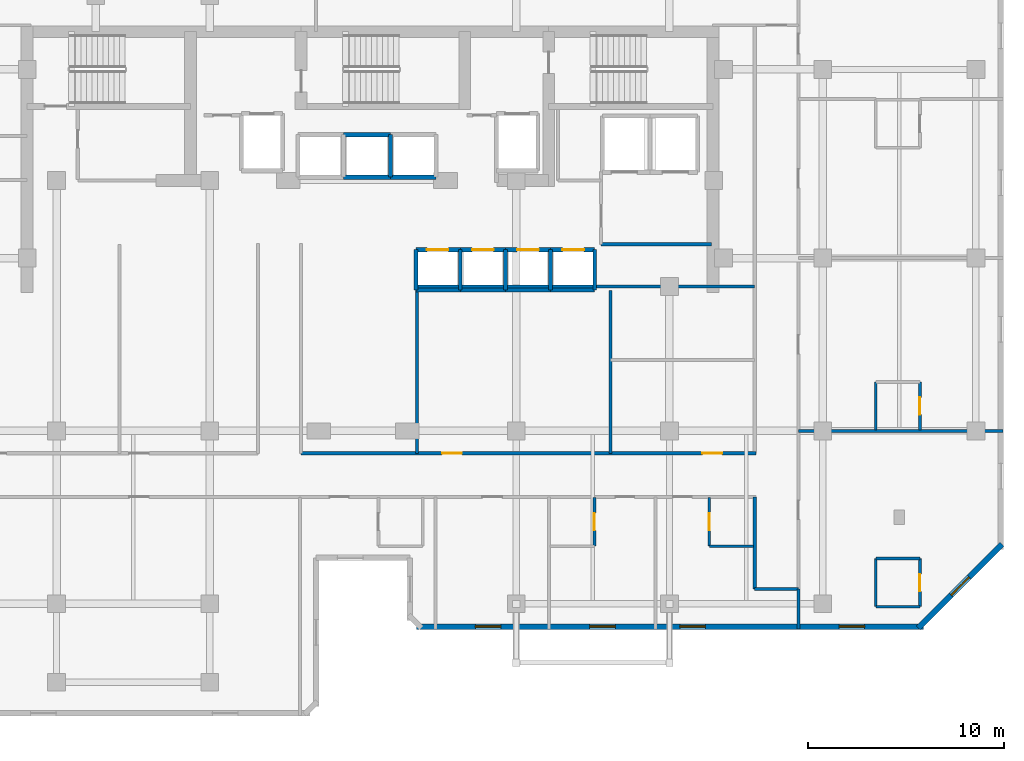
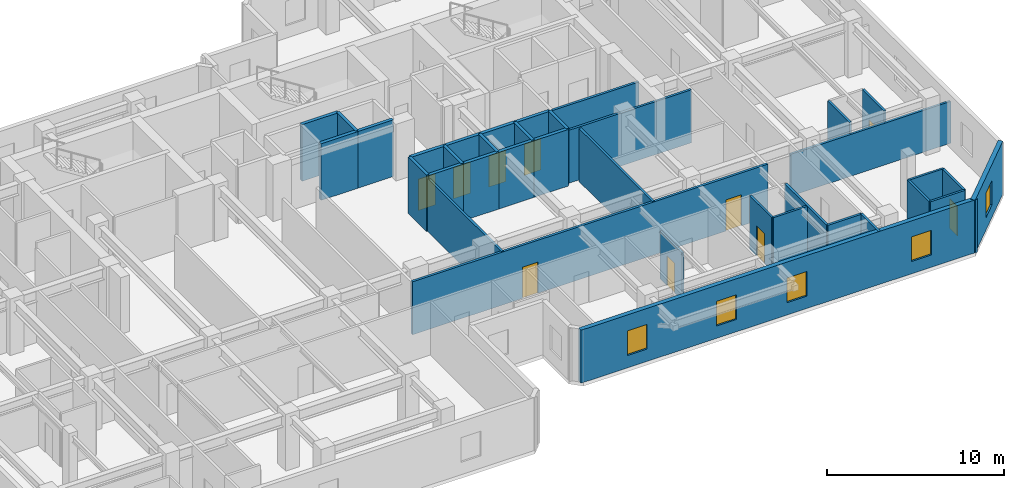
# One storey, part 6 of 10: 37 walls, 10 doors, 5 windows, 15 openings.
"""IFC4 building model written with IfcOpenShell, lengths in metres."""

from ifc_helpers import new_model, si_unit, direction, frame, frame_2d, origin, place, context, subcontext, project, spatial, rectangle, extrude, material, layer, layer_set, type_object, element, fill, save


model = new_model("IFC4")

# Units and contexts
model_context = context("Model", 3, precision=1e-05, world=origin(), true_north=direction((0.0, 1.0)))
body_context = subcontext(model_context, "Body", "Model", "MODEL_VIEW")
ifc_project = project(units=[si_unit("LENGTHUNIT", "METRE"), si_unit("AREAUNIT", "SQUARE_METRE"), si_unit("VOLUMEUNIT", "CUBIC_METRE"), si_unit("PLANEANGLEUNIT", "RADIAN"), si_unit("MASSUNIT", "GRAM", prefix="KILO")], contexts=[model_context])

# Site, building, storey
site_placement = place(None, origin())
site = spatial("IfcSite", under=ifc_project, at=site_placement, CompositionType="ELEMENT")
building_placement = place(site_placement, origin())
building = spatial("IfcBuilding", under=site, at=building_placement, Name="Kestravale Grand Hotel", CompositionType="ELEMENT")
storey_placement = place(building_placement, frame((0.0, 0.0, 224.10009765625)))
storey = spatial("IfcBuildingStorey", under=building, at=storey_placement, Name="L56", CompositionType="ELEMENT", Elevation=224.10009765625)

# Wall, openings, windows
ifc_material_1 = material(Name="Precast concrete f'c 45 MPa", Category="concrete")
ifc_layer_1 = layer(ifc_material_1, 0.280029296875)
ifc_layer_set_1 = layer_set([ifc_layer_1], Name="EW-PREC-280")
wall_type_1 = type_object("IfcWallType", Name="EW-PREC-280", PredefinedType="SOLIDWALL", material=ifc_layer_set_1)
wall_1_placement = place(storey_placement, frame((41.7099609375, 10.0400390625, 0.0), z_axis=(0.0, 0.0, 1.0), x_axis=(1.0, 0.0, 0.0)))
wall_1 = element("IfcWall", 1, at=wall_1_placement, inside=storey, type_object=wall_type_1, Name="L56 fluted precast facade wall 7", PredefinedType="SOLIDWALL", context=body_context, shape_type="SweptSolid", body=[
    extrude(rectangle(XDim=25.830078125, YDim=0.280029296875, at=frame_2d((12.9150390625, 0.0))), origin(), (0.0, 0.0, 1.0), 3.64990234375),
])
opening_1_placement = place(wall_1_placement, frame((3.0048828125, 0.0, 0.85009765625)))
opening_1 = element("IfcOpeningElement", 2, at=opening_1_placement, cuts=wall_1, Name="Opening W-GUEST-1300", PredefinedType="OPENING", context=body_context, shape_type="SweptSolid", body=[
    extrude(rectangle(XDim=1.300048828125, YDim=1.699951171875, at=frame_2d((0.64990234375, 0.85009765625))), frame((0.0, 0.14990234375, 0.0), z_axis=(0.0, -1.0, 0.0), x_axis=(1.0, 0.0, 0.0)), (0.0, 0.0, 1.0), 0.300048828125),
])
opening_2_placement = place(wall_1_placement, frame((13.4150390625, 0.0, 0.85009765625)))
opening_2 = element("IfcOpeningElement", 3, at=opening_2_placement, cuts=wall_1, Name="Opening W-GUEST-1300", PredefinedType="OPENING", context=body_context, shape_type="SweptSolid", body=[
    extrude(rectangle(XDim=1.300048828125, YDim=1.699951171875, at=frame_2d((0.64990234375, 0.85009765625))), frame((0.0, 0.14990234375, 0.0), z_axis=(0.0, -1.0, 0.0), x_axis=(1.0, 0.0, 0.0)), (0.0, 0.0, 1.0), 0.300048828125),
])
opening_3_placement = place(wall_1_placement, frame((21.52490234375, 0.0, 0.85009765625)))
opening_3 = element("IfcOpeningElement", 4, at=opening_3_placement, cuts=wall_1, Name="Opening W-GUEST-1300", PredefinedType="OPENING", context=body_context, shape_type="SweptSolid", body=[
    extrude(rectangle(XDim=1.300048828125, YDim=1.699951171875, at=frame_2d((0.64990234375, 0.85009765625))), frame((0.0, 0.14990234375, 0.0), z_axis=(0.0, -1.0, 0.0), x_axis=(1.0, 0.0, 0.0)), (0.0, 0.0, 1.0), 0.300048828125),
])
opening_4_placement = place(wall_1_placement, frame((8.830078125, 0.0, 0.85009765625)))
opening_4 = element("IfcOpeningElement", 5, at=opening_4_placement, cuts=wall_1, Name="Opening W-GUEST-1300", PredefinedType="OPENING", context=body_context, shape_type="SweptSolid", body=[
    extrude(rectangle(XDim=1.300048828125, YDim=1.699951171875, at=frame_2d((0.64990234375, 0.85009765625))), frame((0.0, 0.14990234375, 0.0), z_axis=(0.0, -1.0, 0.0), x_axis=(1.0, 0.0, 0.0)), (0.0, 0.0, 1.0), 0.300048828125),
])
ifc_material_2 = material(Name="Insulated low-E double glazing in aluminium frame", Category="aluminium")
window_type = type_object("IfcWindowType", Name="W-GUEST-1300", PartitioningType="SINGLE_PANEL", PredefinedType="WINDOW", material=ifc_material_2)
window_1_placement = place(opening_1_placement, origin())
window_1 = element("IfcWindow", 6, at=window_1_placement, inside=storey, type_object=window_type, Name="L56 exterior window 7.1", OverallHeight=1.699951171875, OverallWidth=1.300048828125, PartitioningType="SINGLE_PANEL", PredefinedType="WINDOW", context=body_context, shape_type="SweptSolid", body=[
    extrude(rectangle(XDim=1.300048828125, YDim=1.699951171875, at=frame_2d((0.64990234375, 0.85009765625))), frame((0.0, 0.030029296875, 0.0), z_axis=(0.0, -1.0, 0.0), x_axis=(1.0, 0.0, 0.0)), (0.0, 0.0, 1.0), 0.06005859375),
])
fill(opening_1, window_1)
window_2_placement = place(opening_2_placement, origin())
window_2 = element("IfcWindow", 7, at=window_2_placement, inside=storey, type_object=window_type, Name="L56 exterior window 7.2", OverallHeight=1.699951171875, OverallWidth=1.300048828125, PartitioningType="SINGLE_PANEL", PredefinedType="WINDOW", context=body_context, shape_type="SweptSolid", body=[
    extrude(rectangle(XDim=1.300048828125, YDim=1.699951171875, at=frame_2d((0.64990234375, 0.85009765625))), frame((0.0, 0.030029296875, 0.0), z_axis=(0.0, -1.0, 0.0), x_axis=(1.0, 0.0, 0.0)), (0.0, 0.0, 1.0), 0.06005859375),
])
fill(opening_2, window_2)
window_3_placement = place(opening_3_placement, origin())
window_3 = element("IfcWindow", 8, at=window_3_placement, inside=storey, type_object=window_type, Name="L56 exterior window 7.3", OverallHeight=1.699951171875, OverallWidth=1.300048828125, PartitioningType="SINGLE_PANEL", PredefinedType="WINDOW", context=body_context, shape_type="SweptSolid", body=[
    extrude(rectangle(XDim=1.300048828125, YDim=1.699951171875, at=frame_2d((0.64990234375, 0.85009765625))), frame((0.0, 0.030029296875, 0.0), z_axis=(0.0, -1.0, 0.0), x_axis=(1.0, 0.0, 0.0)), (0.0, 0.0, 1.0), 0.06005859375),
])
fill(opening_3, window_3)
window_4_placement = place(opening_4_placement, origin())
window_4 = element("IfcWindow", 9, at=window_4_placement, inside=storey, type_object=window_type, Name="L56 guestroom envelope window 1", OverallHeight=1.699951171875, OverallWidth=1.300048828125, PartitioningType="SINGLE_PANEL", PredefinedType="WINDOW", context=body_context, shape_type="SweptSolid", body=[
    extrude(rectangle(XDim=1.300048828125, YDim=1.699951171875, at=frame_2d((0.64990234375, 0.85009765625))), frame((0.0, 0.030029296875, 0.0), z_axis=(0.0, -1.0, 0.0), x_axis=(1.0, 0.0, 0.0)), (0.0, 0.0, 1.0), 0.06005859375),
])
fill(opening_4, window_4)

# Wall, opening, window
wall_2_placement = place(storey_placement, frame((67.272705078125, 9.970703125, 0.0), z_axis=(0.0, 0.0, 1.0), x_axis=(0.707106781187, 0.707106781187, 0.0)))
wall_2 = element("IfcWall", 10, at=wall_2_placement, inside=storey, type_object=wall_type_1, Name="L56 fluted precast facade wall 8", PredefinedType="SOLIDWALL", context=body_context, shape_type="SweptSolid", body=[
    extrude(rectangle(XDim=6.019775390625, YDim=0.280029296875, at=frame_2d((3.009765625, 0.0))), origin(), (0.0, 0.0, 1.0), 3.64990234375),
])
opening_5_placement = place(wall_2_placement, frame((2.35986328125, 0.0, 0.85009765625)))
opening_5 = element("IfcOpeningElement", 11, at=opening_5_placement, cuts=wall_2, Name="Opening W-GUEST-1300", PredefinedType="OPENING", context=body_context, shape_type="SweptSolid", body=[
    extrude(rectangle(XDim=1.300048828125, YDim=1.699951171875, at=frame_2d((0.64990234375, 0.85009765625))), frame((0.0, 0.14990234375, 0.0), z_axis=(0.0, -1.0, 0.0), x_axis=(1.0, 0.0, 0.0)), (0.0, 0.0, 1.0), 0.300048828125),
])
window_5_placement = place(opening_5_placement, origin())
window_5 = element("IfcWindow", 12, at=window_5_placement, inside=storey, type_object=window_type, Name="L56 exterior window 8.1", OverallHeight=1.699951171875, OverallWidth=1.300048828125, PartitioningType="SINGLE_PANEL", PredefinedType="WINDOW", context=body_context, shape_type="SweptSolid", body=[
    extrude(rectangle(XDim=1.300048828125, YDim=1.699951171875, at=frame_2d((0.64990234375, 0.85009765625))), frame((0.0, 0.030029296875, 0.0), z_axis=(0.0, -1.0, 0.0), x_axis=(1.0, 0.0, 0.0)), (0.0, 0.0, 1.0), 0.06005859375),
])
fill(opening_5, window_5)

# Wall
ifc_material_3 = material(Name="Acoustic fire-rated gypsum board partition", Category="other")
ifc_layer_2 = layer(ifc_material_3, 0.159912109375)
ifc_layer_set_2 = layer_set([ifc_layer_2], Name="IW-CORR-160")
wall_type_2 = type_object("IfcWallType", Name="IW-CORR-160", PredefinedType="PARTITIONING", material=ifc_layer_set_2)
wall_3_placement = place(storey_placement, frame((51.1201171875, 29.5, 0.0), z_axis=(0.0, 0.0, 1.0), x_axis=(1.0, 0.0, 0.0)))
element("IfcWall", 13, at=wall_3_placement, inside=storey, type_object=wall_type_2, Name="L56 service lift lobby wall", PredefinedType="PARTITIONING", context=body_context, shape_type="SweptSolid", body=[
    extrude(rectangle(XDim=5.6298828125, YDim=0.159912109375, at=frame_2d((2.81494140625, 0.0))), origin(), (0.0, 0.0, 1.0), 3.64990234375),
])

# Wall, openings, doors
wall_4_placement = place(storey_placement, frame((35.85009765625, 18.860107421875, 0.0), z_axis=(0.0, 0.0, 1.0), x_axis=(1.0, 0.0, 0.0)))
wall_4 = element("IfcWall", 14, at=wall_4_placement, inside=storey, type_object=wall_type_2, Name="W-L56-CE-N", PredefinedType="PARTITIONING", context=body_context, shape_type="SweptSolid", body=[
    extrude(rectangle(XDim=23.14990234375, YDim=0.159912109375, at=frame_2d((11.574951171875, 0.0))), origin(), (0.0, 0.0, 1.0), 3.64990234375),
])
opening_6_placement = place(wall_4_placement, frame((7.18115234375, 0.0, 0.0)))
opening_6 = element("IfcOpeningElement", 15, at=opening_6_placement, cuts=wall_4, Name="Opening D-GUEST-1000", PredefinedType="OPENING", context=body_context, shape_type="SweptSolid", body=[
    extrude(rectangle(XDim=1.0, YDim=2.14990234375, at=frame_2d((0.5, 1.074951171875))), frame((0.0, 0.08984375, 0.0), z_axis=(0.0, -1.0, 0.0), x_axis=(1.0, 0.0, 0.0)), (0.0, 0.0, 1.0), 0.179931640625),
])
opening_7_placement = place(wall_4_placement, frame((20.4296875, 0.0, 0.0)))
opening_7 = element("IfcOpeningElement", 16, at=opening_7_placement, cuts=wall_4, Name="Opening D-GUEST-1000", PredefinedType="OPENING", context=body_context, shape_type="SweptSolid", body=[
    extrude(rectangle(XDim=1.0, YDim=2.14990234375, at=frame_2d((0.5, 1.074951171875))), frame((0.0, 0.08984375, 0.0), z_axis=(0.0, -1.0, 0.0), x_axis=(1.0, 0.0, 0.0)), (0.0, 0.0, 1.0), 0.179931640625),
])
ifc_material_4 = material(Name="Accessible walnut veneer hotel entrance fire door", Category="wood")
door_type_1 = type_object("IfcDoorType", Name="D-GUEST-1000", OperationType="NOTDEFINED", PredefinedType="DOOR", material=ifc_material_4)
door_1_placement = place(opening_6_placement, origin())
door_1 = element("IfcDoor", 17, at=door_1_placement, inside=storey, type_object=door_type_1, Name="D-L56-RECL-E1", OperationType="SINGLE_SWING_RIGHT", OverallHeight=2.14990234375, OverallWidth=1.0, PredefinedType="DOOR", context=body_context, shape_type="SweptSolid", body=[
    extrude(rectangle(XDim=1.0, YDim=2.14990234375, at=frame_2d((0.5, 1.074951171875))), frame((0.0, 0.02490234375, 0.0), z_axis=(0.0, -1.0, 0.0), x_axis=(1.0, 0.0, 0.0)), (0.0, 0.0, 1.0), 0.050048828125),
])
fill(opening_6, door_1)
door_2_placement = place(opening_7_placement, origin())
door_2 = element("IfcDoor", 18, at=door_2_placement, inside=storey, type_object=door_type_1, Name="D-L56-RECL-E2", OperationType="SINGLE_SWING_LEFT", OverallHeight=2.14990234375, OverallWidth=1.0, PredefinedType="DOOR", context=body_context, shape_type="SweptSolid", body=[
    extrude(rectangle(XDim=1.0, YDim=2.14990234375, at=frame_2d((0.5, 1.074951171875))), frame((0.0, 0.02490234375, 0.0), z_axis=(0.0, -1.0, 0.0), x_axis=(1.0, 0.0, 0.0)), (0.0, 0.0, 1.0), 0.050048828125),
])
fill(opening_7, door_2)

# Wall
wall_5_placement = place(storey_placement, frame((58.93994140625, 11.949951171875, 0.0), z_axis=(0.0, 0.0, 1.0), x_axis=(0.0, 1.0, 0.0)))
element("IfcWall", 19, at=wall_5_placement, inside=storey, type_object=wall_type_2, Name="W-L56-SE-W", PredefinedType="PARTITIONING", context=body_context, shape_type="SweptSolid", body=[
    extrude(rectangle(XDim=4.68994140625, YDim=0.159912109375, at=frame_2d((2.344970703125, 0.0))), origin(), (0.0, 0.0, 1.0), 3.64990234375),
])

# Wall, opening, door
ifc_material_5 = material(Name="Moisture-resistant tile-backer plumbing chase wall", Category="other")
ifc_layer_3 = layer(ifc_material_5, 0.139892578125)
ifc_layer_set_3 = layer_set([ifc_layer_3], Name="IW-PLB-140")
wall_type_3 = type_object("IfcWallType", Name="IW-PLB-140", PredefinedType="PLUMBINGWALL", material=ifc_layer_set_3)
wall_6_placement = place(storey_placement, frame((50.780029296875, 14.1298828125, 0.0), z_axis=(0.0, 0.0, 1.0), x_axis=(0.0, 1.0, 0.0)))
wall_6 = element("IfcWall", 20, at=wall_6_placement, inside=storey, type_object=wall_type_3, Name="W-L56-U02-BE", PredefinedType="PLUMBINGWALL", context=body_context, shape_type="SweptSolid", body=[
    extrude(rectangle(XDim=2.490234375, YDim=0.139892578125, at=frame_2d((1.2451171875, 0.0))), origin(), (0.0, 0.0, 1.0), 3.245849609375),
])
opening_8_placement = place(wall_6_placement, frame((0.804931640625, 0.0, 0.0)))
opening_8 = element("IfcOpeningElement", 21, at=opening_8_placement, cuts=wall_6, Name="Opening D-BATH-880", PredefinedType="OPENING", context=body_context, shape_type="SweptSolid", body=[
    extrude(rectangle(XDim=0.8798828125, YDim=2.050048828125, at=frame_2d((0.43994140625, 1.02490234375))), frame((0.0, 0.079833984375, 0.0), z_axis=(0.0, -1.0, 0.0), x_axis=(1.0, 0.0, 0.0)), (0.0, 0.0, 1.0), 0.159912109375),
])
ifc_material_6 = material(Name="Moisture-sealed walnut en-suite bathroom door", Category="wood")
door_type_2 = type_object("IfcDoorType", Name="D-BATH-880", OperationType="NOTDEFINED", PredefinedType="DOOR", material=ifc_material_6)
door_3_placement = place(opening_8_placement, origin())
door_3 = element("IfcDoor", 22, at=door_3_placement, inside=storey, type_object=door_type_2, Name="D-L56-U02-BATH", OperationType="SINGLE_SWING_RIGHT", OverallHeight=2.050048828125, OverallWidth=0.8798828125, PredefinedType="DOOR", context=body_context, shape_type="SweptSolid", body=[
    extrude(rectangle(XDim=0.8798828125, YDim=2.050048828125, at=frame_2d((0.43994140625, 1.02490234375))), frame((0.0, 0.02490234375, 0.0), z_axis=(0.0, -1.0, 0.0), x_axis=(1.0, 0.0, 0.0)), (0.0, 0.0, 1.0), 0.050048828125),
])
fill(opening_8, door_3)

wall_7_placement = place(storey_placement, frame((56.6298828125, 14.1298828125, 0.0), z_axis=(0.0, 0.0, 1.0), x_axis=(0.0, 1.0, 0.0)))
wall_7 = element("IfcWall", 23, at=wall_7_placement, inside=storey, type_object=wall_type_3, Name="W-L56-U03-BW", PredefinedType="PLUMBINGWALL", context=body_context, shape_type="SweptSolid", body=[
    extrude(rectangle(XDim=2.490234375, YDim=0.139892578125, at=frame_2d((1.2451171875, 0.0))), origin(), (0.0, 0.0, 1.0), 3.64990234375),
])
opening_9_placement = place(wall_7_placement, frame((0.804931640625, 0.0, 0.0)))
opening_9 = element("IfcOpeningElement", 24, at=opening_9_placement, cuts=wall_7, Name="Opening D-BATH-880", PredefinedType="OPENING", context=body_context, shape_type="SweptSolid", body=[
    extrude(rectangle(XDim=0.8798828125, YDim=2.050048828125, at=frame_2d((0.43994140625, 1.02490234375))), frame((0.0, 0.079833984375, 0.0), z_axis=(0.0, -1.0, 0.0), x_axis=(1.0, 0.0, 0.0)), (0.0, 0.0, 1.0), 0.159912109375),
])
door_4_placement = place(opening_9_placement, origin())
door_4 = element("IfcDoor", 25, at=door_4_placement, inside=storey, type_object=door_type_2, Name="D-L56-U03-BATH", OperationType="SINGLE_SWING_RIGHT", OverallHeight=2.050048828125, OverallWidth=0.8798828125, PredefinedType="DOOR", context=body_context, shape_type="SweptSolid", body=[
    extrude(rectangle(XDim=0.8798828125, YDim=2.050048828125, at=frame_2d((0.43994140625, 1.02490234375))), frame((0.0, 0.02490234375, 0.0), z_axis=(0.0, -1.0, 0.0), x_axis=(1.0, 0.0, 0.0)), (0.0, 0.0, 1.0), 0.050048828125),
])
fill(opening_9, door_4)

# Walls
wall_8_placement = place(storey_placement, frame((56.6298828125, 14.1298828125, 0.0), z_axis=(0.0, 0.0, 1.0), x_axis=(1.0, 0.0, 0.0)))
element("IfcWall", 26, at=wall_8_placement, inside=storey, type_object=wall_type_3, Name="W-L56-U03-BS", PredefinedType="PLUMBINGWALL", context=body_context, shape_type="SweptSolid", body=[
    extrude(rectangle(XDim=2.25, YDim=0.139892578125, at=frame_2d((1.125, 0.0))), origin(), (0.0, 0.0, 1.0), 3.64990234375),
])
wall_9_placement = place(storey_placement, frame((65.10009765625, 11.050048828125, 0.0), z_axis=(0.0, 0.0, 1.0), x_axis=(0.0, 1.0, 0.0)))
element("IfcWall", 27, at=wall_9_placement, inside=storey, type_object=wall_type_3, Name="W-L56-U08-BW", PredefinedType="PLUMBINGWALL", context=body_context, shape_type="SweptSolid", body=[
    extrude(rectangle(XDim=2.449951171875, YDim=0.139892578125, at=frame_2d((1.22509765625, 0.0))), origin(), (0.0, 0.0, 1.0), 3.64990234375),
])

# Wall, opening, door
wall_10_placement = place(storey_placement, frame((67.35009765625, 11.050048828125, 0.0), z_axis=(0.0, 0.0, 1.0), x_axis=(0.0, 1.0, 0.0)))
wall_10 = element("IfcWall", 28, at=wall_10_placement, inside=storey, type_object=wall_type_3, Name="W-L56-U08-BE", PredefinedType="PLUMBINGWALL", context=body_context, shape_type="SweptSolid", body=[
    extrude(rectangle(XDim=2.449951171875, YDim=0.139892578125, at=frame_2d((1.22509765625, 0.0))), origin(), (0.0, 0.0, 1.0), 3.64990234375),
])
opening_10_placement = place(wall_10_placement, frame((0.784912109375, 0.0, 0.0)))
opening_10 = element("IfcOpeningElement", 29, at=opening_10_placement, cuts=wall_10, Name="Opening D-BATH-880", PredefinedType="OPENING", context=body_context, shape_type="SweptSolid", body=[
    extrude(rectangle(XDim=0.8798828125, YDim=2.050048828125, at=frame_2d((0.43994140625, 1.02490234375))), frame((0.0, 0.079833984375, 0.0), z_axis=(0.0, -1.0, 0.0), x_axis=(1.0, 0.0, 0.0)), (0.0, 0.0, 1.0), 0.159912109375),
])
door_5_placement = place(opening_10_placement, origin())
door_5 = element("IfcDoor", 30, at=door_5_placement, inside=storey, type_object=door_type_2, Name="D-L56-U08-BATH", OperationType="SINGLE_SWING_LEFT", OverallHeight=2.050048828125, OverallWidth=0.8798828125, PredefinedType="DOOR", context=body_context, shape_type="SweptSolid", body=[
    extrude(rectangle(XDim=0.8798828125, YDim=2.050048828125, at=frame_2d((0.43994140625, 1.02490234375))), frame((0.0, 0.02490234375, 0.0), z_axis=(0.0, -1.0, 0.0), x_axis=(1.0, 0.0, 0.0)), (0.0, 0.0, 1.0), 0.050048828125),
])
fill(opening_10, door_5)

# Walls
for number, where, z_axis, x_axis, name in (
    (31, (65.10009765625, 11.050048828125, 0.0), (0.0, 0.0, 1.0), (1.0, 0.0, 0.0), "W-L56-U08-BS"),
    (32, (65.10009765625, 13.5, 0.0), (0.0, 0.0, 1.0), (1.0, 0.0, 0.0), "W-L56-U08-BN"),
):
    element("IfcWall", number, at=place(storey_placement, frame(where, z_axis=z_axis, x_axis=x_axis)), inside=storey, type_object=wall_type_3, Name=name, PredefinedType="PLUMBINGWALL", context=body_context, shape_type="SweptSolid", body=[
        extrude(rectangle(XDim=2.25, YDim=0.139892578125, at=frame_2d((1.125, 0.0))), origin(), (0.0, 0.0, 1.0), 3.64990234375),
    ])
wall_11_placement = place(storey_placement, frame((65.10009765625, 20.0400390625, 0.0), z_axis=(0.0, 0.0, 1.0), x_axis=(0.0, 1.0, 0.0)))
element("IfcWall", 33, at=wall_11_placement, inside=storey, type_object=wall_type_3, Name="W-L56-U09-BW", PredefinedType="PLUMBINGWALL", context=body_context, shape_type="SweptSolid", body=[
    extrude(rectangle(XDim=2.449951171875, YDim=0.139892578125, at=frame_2d((1.22509765625, 0.0))), origin(), (0.0, 0.0, 1.0), 3.64990234375),
])

# Wall, opening, door
wall_12_placement = place(storey_placement, frame((67.35009765625, 20.0400390625, 0.0), z_axis=(0.0, 0.0, 1.0), x_axis=(0.0, 1.0, 0.0)))
wall_12 = element("IfcWall", 34, at=wall_12_placement, inside=storey, type_object=wall_type_3, Name="W-L56-U09-BE", PredefinedType="PLUMBINGWALL", context=body_context, shape_type="SweptSolid", body=[
    extrude(rectangle(XDim=2.449951171875, YDim=0.139892578125, at=frame_2d((1.22509765625, 0.0))), origin(), (0.0, 0.0, 1.0), 3.64990234375),
])
opening_11_placement = place(wall_12_placement, frame((0.784912109375, 0.0, 0.0)))
opening_11 = element("IfcOpeningElement", 35, at=opening_11_placement, cuts=wall_12, Name="Opening D-BATH-880", PredefinedType="OPENING", context=body_context, shape_type="SweptSolid", body=[
    extrude(rectangle(XDim=0.8798828125, YDim=2.050048828125, at=frame_2d((0.43994140625, 1.02490234375))), frame((0.0, 0.079833984375, 0.0), z_axis=(0.0, -1.0, 0.0), x_axis=(1.0, 0.0, 0.0)), (0.0, 0.0, 1.0), 0.159912109375),
])
door_6_placement = place(opening_11_placement, origin())
door_6 = element("IfcDoor", 36, at=door_6_placement, inside=storey, type_object=door_type_2, Name="D-L56-U09-BATH", OperationType="SINGLE_SWING_LEFT", OverallHeight=2.050048828125, OverallWidth=0.8798828125, PredefinedType="DOOR", context=body_context, shape_type="SweptSolid", body=[
    extrude(rectangle(XDim=0.8798828125, YDim=2.050048828125, at=frame_2d((0.43994140625, 1.02490234375))), frame((0.0, 0.02490234375, 0.0), z_axis=(0.0, -1.0, 0.0), x_axis=(1.0, 0.0, 0.0)), (0.0, 0.0, 1.0), 0.050048828125),
])
fill(opening_11, door_6)

# Walls
ifc_material_7 = material(Name="Concrete f'c 45 MPa", Category="concrete")
ifc_layer_4 = layer(ifc_material_7, 0.199951171875)
ifc_layer_set_4 = layer_set([ifc_layer_4], Name="IW-SHAFT-200")
wall_type_4 = type_object("IfcWallType", Name="IW-SHAFT-200", PredefinedType="SHEAR", material=ifc_layer_set_4)
for number, where, z_axis, x_axis, name in (
    (37, (41.705078125, 27.169921875, 0.0), (0.0, 0.0, 1.0), (0.0, 1.0, 0.0), "L56 PL-M1 west shaft wall"),
    (38, (43.949951171875, 27.169921875, 0.0), (0.0, 0.0, 1.0), (0.0, 1.0, 0.0), "L56 PL-M2 west shaft wall"),
    (39, (46.25, 27.169921875, 0.0), (0.0, 0.0, 1.0), (0.0, 1.0, 0.0), "L56 PL-M3 west shaft wall"),
    (40, (48.550048828125, 27.169921875, 0.0), (0.0, 0.0, 1.0), (0.0, 1.0, 0.0), "L56 PL-M4 west shaft wall"),
    (41, (50.794921875, 27.169921875, 0.0), (0.0, 0.0, 1.0), (0.0, 1.0, 0.0), "L56 PL-M4 east shaft wall"),
):
    element("IfcWall", number, at=place(storey_placement, frame(where, z_axis=z_axis, x_axis=x_axis)), inside=storey, type_object=wall_type_4, Name=name, PredefinedType="SHEAR", context=body_context, shape_type="SweptSolid", body=[
        extrude(rectangle(XDim=2.06005859375, YDim=0.199951171875, at=frame_2d((1.030029296875, 0.0))), origin(), (0.0, 0.0, 1.0), 3.89990234375),
    ])
wall_13_placement = place(storey_placement, frame((40.39990234375, 32.919921875, 0.0), z_axis=(0.0, 0.0, 1.0), x_axis=(0.0, 1.0, 0.0)))
element("IfcWall", 42, at=wall_13_placement, inside=storey, type_object=wall_type_4, Name="L56 PL-X3 west shaft wall", PredefinedType="SHEAR", context=body_context, shape_type="SweptSolid", body=[
    extrude(rectangle(XDim=2.16015625, YDim=0.199951171875, at=frame_2d((1.080078125, 0.0))), origin(), (0.0, 0.0, 1.0), 3.89990234375),
])

# Wall, opening, door
ifc_material_8 = material(Name="Concrete f'c 45 MPa", Category="concrete")
ifc_layer_5 = layer(ifc_material_8, 0.219970703125)
ifc_layer_set_5 = layer_set([ifc_layer_5], Name="IW-SHAFT-220")
wall_type_5 = type_object("IfcWallType", Name="IW-SHAFT-220", PredefinedType="SHEAR", material=ifc_layer_set_5)
wall_14_placement = place(storey_placement, frame((41.705078125, 29.22998046875, 0.0), z_axis=(0.0, 0.0, 1.0), x_axis=(1.0, 0.0, 0.0)))
wall_14 = element("IfcWall", 43, at=wall_14_placement, inside=storey, type_object=wall_type_5, Name="L56 PL-M1 north shaft wall", PredefinedType="SHEAR", context=body_context, shape_type="SweptSolid", body=[
    extrude(rectangle(XDim=2.244873046875, YDim=0.219970703125, at=frame_2d((1.12255859375, 0.0))), origin(), (0.0, 0.0, 1.0), 3.89990234375),
])
opening_12_placement = place(wall_14_placement, frame((0.544921875, 0.0, 0.0)))
opening_12 = element("IfcOpeningElement", 44, at=opening_12_placement, cuts=wall_14, Name="Opening LD-PAX-1100", PredefinedType="OPENING", context=body_context, shape_type="SweptSolid", body=[
    extrude(rectangle(XDim=1.10009765625, YDim=2.14990234375, at=frame_2d((0.550048828125, 1.074951171875))), frame((0.0, 0.119873046875, 0.0), z_axis=(0.0, -1.0, 0.0), x_axis=(1.0, 0.0, 0.0)), (0.0, 0.0, 1.0), 0.239990234375),
])
ifc_material_9 = material(Name="Champagne-bronze center-opening sliding elevator landing door", Category="steel")
door_type_3 = type_object("IfcDoorType", Name="LD-PAX-1100", OperationType="NOTDEFINED", PredefinedType="DOOR", material=ifc_material_9)
door_7_placement = place(opening_12_placement, origin())
door_7 = element("IfcDoor", 45, at=door_7_placement, inside=storey, type_object=door_type_3, Name="L56 PL-M1 elevator landing sliding door", OperationType="DOUBLE_DOOR_SLIDING", OverallHeight=2.14990234375, OverallWidth=1.10009765625, PredefinedType="DOOR", context=body_context, shape_type="SweptSolid", body=[
    extrude(rectangle(XDim=1.10009765625, YDim=2.14990234375, at=frame_2d((0.550048828125, 1.074951171875))), frame((0.0, 0.02490234375, 0.0), z_axis=(0.0, -1.0, 0.0), x_axis=(1.0, 0.0, 0.0)), (0.0, 0.0, 1.0), 0.050048828125),
])
fill(opening_12, door_7)

# Wall
wall_15_placement = place(storey_placement, frame((41.705078125, 27.169921875, 0.0), z_axis=(0.0, 0.0, 1.0), x_axis=(1.0, 0.0, 0.0)))
element("IfcWall", 46, at=wall_15_placement, inside=storey, type_object=wall_type_5, Name="L56 PL-M1 south shaft wall", PredefinedType="SHEAR", context=body_context, shape_type="SweptSolid", body=[
    extrude(rectangle(XDim=2.244873046875, YDim=0.219970703125, at=frame_2d((1.12255859375, 0.0))), origin(), (0.0, 0.0, 1.0), 3.89990234375),
])

# Wall, opening, door
wall_16_placement = place(storey_placement, frame((43.949951171875, 29.22998046875, 0.0), z_axis=(0.0, 0.0, 1.0), x_axis=(1.0, 0.0, 0.0)))
wall_16 = element("IfcWall", 47, at=wall_16_placement, inside=storey, type_object=wall_type_5, Name="L56 PL-M2 north shaft wall", PredefinedType="SHEAR", context=body_context, shape_type="SweptSolid", body=[
    extrude(rectangle(XDim=2.300048828125, YDim=0.219970703125, at=frame_2d((1.14990234375, 0.0))), origin(), (0.0, 0.0, 1.0), 3.89990234375),
])
opening_13_placement = place(wall_16_placement, frame((0.60009765625, 0.0, 0.0)))
opening_13 = element("IfcOpeningElement", 48, at=opening_13_placement, cuts=wall_16, Name="Opening LD-PAX-1100", PredefinedType="OPENING", context=body_context, shape_type="SweptSolid", body=[
    extrude(rectangle(XDim=1.10009765625, YDim=2.14990234375, at=frame_2d((0.550048828125, 1.074951171875))), frame((0.0, 0.119873046875, 0.0), z_axis=(0.0, -1.0, 0.0), x_axis=(1.0, 0.0, 0.0)), (0.0, 0.0, 1.0), 0.239990234375),
])
door_8_placement = place(opening_13_placement, origin())
door_8 = element("IfcDoor", 49, at=door_8_placement, inside=storey, type_object=door_type_3, Name="L56 PL-M2 elevator landing sliding door", OperationType="DOUBLE_DOOR_SLIDING", OverallHeight=2.14990234375, OverallWidth=1.10009765625, PredefinedType="DOOR", context=body_context, shape_type="SweptSolid", body=[
    extrude(rectangle(XDim=1.10009765625, YDim=2.14990234375, at=frame_2d((0.550048828125, 1.074951171875))), frame((0.0, 0.02490234375, 0.0), z_axis=(0.0, -1.0, 0.0), x_axis=(1.0, 0.0, 0.0)), (0.0, 0.0, 1.0), 0.050048828125),
])
fill(opening_13, door_8)

# Wall
wall_17_placement = place(storey_placement, frame((43.949951171875, 27.169921875, 0.0), z_axis=(0.0, 0.0, 1.0), x_axis=(1.0, 0.0, 0.0)))
element("IfcWall", 50, at=wall_17_placement, inside=storey, type_object=wall_type_5, Name="L56 PL-M2 south shaft wall", PredefinedType="SHEAR", context=body_context, shape_type="SweptSolid", body=[
    extrude(rectangle(XDim=2.300048828125, YDim=0.219970703125, at=frame_2d((1.14990234375, 0.0))), origin(), (0.0, 0.0, 1.0), 3.89990234375),
])

# Wall, opening, door
wall_18_placement = place(storey_placement, frame((46.25, 29.22998046875, 0.0), z_axis=(0.0, 0.0, 1.0), x_axis=(1.0, 0.0, 0.0)))
wall_18 = element("IfcWall", 51, at=wall_18_placement, inside=storey, type_object=wall_type_5, Name="L56 PL-M3 north shaft wall", PredefinedType="SHEAR", context=body_context, shape_type="SweptSolid", body=[
    extrude(rectangle(XDim=2.300048828125, YDim=0.219970703125, at=frame_2d((1.14990234375, 0.0))), origin(), (0.0, 0.0, 1.0), 3.89990234375),
])
opening_14_placement = place(wall_18_placement, frame((0.60009765625, 0.0, 0.0)))
opening_14 = element("IfcOpeningElement", 52, at=opening_14_placement, cuts=wall_18, Name="Opening LD-PAX-1100", PredefinedType="OPENING", context=body_context, shape_type="SweptSolid", body=[
    extrude(rectangle(XDim=1.10009765625, YDim=2.14990234375, at=frame_2d((0.550048828125, 1.074951171875))), frame((0.0, 0.119873046875, 0.0), z_axis=(0.0, -1.0, 0.0), x_axis=(1.0, 0.0, 0.0)), (0.0, 0.0, 1.0), 0.239990234375),
])
door_9_placement = place(opening_14_placement, origin())
door_9 = element("IfcDoor", 53, at=door_9_placement, inside=storey, type_object=door_type_3, Name="L56 PL-M3 elevator landing sliding door", OperationType="DOUBLE_DOOR_SLIDING", OverallHeight=2.14990234375, OverallWidth=1.10009765625, PredefinedType="DOOR", context=body_context, shape_type="SweptSolid", body=[
    extrude(rectangle(XDim=1.10009765625, YDim=2.14990234375, at=frame_2d((0.550048828125, 1.074951171875))), frame((0.0, 0.02490234375, 0.0), z_axis=(0.0, -1.0, 0.0), x_axis=(1.0, 0.0, 0.0)), (0.0, 0.0, 1.0), 0.050048828125),
])
fill(opening_14, door_9)

# Wall
wall_19_placement = place(storey_placement, frame((46.25, 27.169921875, 0.0), z_axis=(0.0, 0.0, 1.0), x_axis=(1.0, 0.0, 0.0)))
element("IfcWall", 54, at=wall_19_placement, inside=storey, type_object=wall_type_5, Name="L56 PL-M3 south shaft wall", PredefinedType="SHEAR", context=body_context, shape_type="SweptSolid", body=[
    extrude(rectangle(XDim=2.300048828125, YDim=0.219970703125, at=frame_2d((1.14990234375, 0.0))), origin(), (0.0, 0.0, 1.0), 3.89990234375),
])

# Wall, opening, door
wall_20_placement = place(storey_placement, frame((48.550048828125, 29.22998046875, 0.0), z_axis=(0.0, 0.0, 1.0), x_axis=(1.0, 0.0, 0.0)))
wall_20 = element("IfcWall", 55, at=wall_20_placement, inside=storey, type_object=wall_type_5, Name="L56 PL-M4 north shaft wall", PredefinedType="SHEAR", context=body_context, shape_type="SweptSolid", body=[
    extrude(rectangle(XDim=2.244873046875, YDim=0.219970703125, at=frame_2d((1.12255859375, 0.0))), origin(), (0.0, 0.0, 1.0), 3.89990234375),
])
opening_15_placement = place(wall_20_placement, frame((0.60009765625, 0.0, 0.0)))
opening_15 = element("IfcOpeningElement", 56, at=opening_15_placement, cuts=wall_20, Name="Opening LD-PAX-1100", PredefinedType="OPENING", context=body_context, shape_type="SweptSolid", body=[
    extrude(rectangle(XDim=1.10009765625, YDim=2.14990234375, at=frame_2d((0.550048828125, 1.074951171875))), frame((0.0, 0.119873046875, 0.0), z_axis=(0.0, -1.0, 0.0), x_axis=(1.0, 0.0, 0.0)), (0.0, 0.0, 1.0), 0.239990234375),
])
door_10_placement = place(opening_15_placement, origin())
door_10 = element("IfcDoor", 57, at=door_10_placement, inside=storey, type_object=door_type_3, Name="L56 PL-M4 elevator landing sliding door", OperationType="DOUBLE_DOOR_SLIDING", OverallHeight=2.14990234375, OverallWidth=1.10009765625, PredefinedType="DOOR", context=body_context, shape_type="SweptSolid", body=[
    extrude(rectangle(XDim=1.10009765625, YDim=2.14990234375, at=frame_2d((0.550048828125, 1.074951171875))), frame((0.0, 0.02490234375, 0.0), z_axis=(0.0, -1.0, 0.0), x_axis=(1.0, 0.0, 0.0)), (0.0, 0.0, 1.0), 0.050048828125),
])
fill(opening_15, door_10)

# Walls
wall_21_placement = place(storey_placement, frame((48.550048828125, 27.169921875, 0.0), z_axis=(0.0, 0.0, 1.0), x_axis=(1.0, 0.0, 0.0)))
element("IfcWall", 58, at=wall_21_placement, inside=storey, type_object=wall_type_5, Name="L56 PL-M4 south shaft wall", PredefinedType="SHEAR", context=body_context, shape_type="SweptSolid", body=[
    extrude(rectangle(XDim=2.244873046875, YDim=0.219970703125, at=frame_2d((1.12255859375, 0.0))), origin(), (0.0, 0.0, 1.0), 3.89990234375),
])
for number, where, z_axis, x_axis, name in (
    (59, (38.0, 35.080078125, 0.0), (0.0, 0.0, 1.0), (1.0, 0.0, 0.0), "L56 PL-X2 north shaft wall"),
    (60, (38.0, 32.919921875, 0.0), (0.0, 0.0, 1.0), (1.0, 0.0, 0.0), "L56 PL-X2 south shaft wall"),
):
    element("IfcWall", number, at=place(storey_placement, frame(where, z_axis=z_axis, x_axis=x_axis)), inside=storey, type_object=wall_type_5, Name=name, PredefinedType="SHEAR", context=body_context, shape_type="SweptSolid", body=[
        extrude(rectangle(XDim=2.39990234375, YDim=0.219970703125, at=frame_2d((1.199951171875, 0.0))), origin(), (0.0, 0.0, 1.0), 3.89990234375),
    ])
wall_22_placement = place(storey_placement, frame((40.39990234375, 32.919921875, 0.0), z_axis=(0.0, 0.0, 1.0), x_axis=(1.0, 0.0, 0.0)))
element("IfcWall", 61, at=wall_22_placement, inside=storey, type_object=wall_type_5, Name="L56 PL-X3 south shaft wall", PredefinedType="SHEAR", context=body_context, shape_type="SweptSolid", body=[
    extrude(rectangle(XDim=2.320068359375, YDim=0.219970703125, at=frame_2d((1.16015625, 0.0))), origin(), (0.0, 0.0, 1.0), 3.89990234375),
])
ifc_material_10 = material(Name="Double-stud STC 52 acoustic demising partition", Category="other")
ifc_layer_6 = layer(ifc_material_10, 0.14990234375)
ifc_layer_set_6 = layer_set([ifc_layer_6], Name="IW-UNIT-150")
wall_type_6 = type_object("IfcWallType", Name="IW-UNIT-150", PredefinedType="PARTITIONING", material=ifc_layer_set_6)
wall_23_placement = place(storey_placement, frame((58.93994140625, 11.949951171875, 0.0), z_axis=(0.0, 0.0, 1.0), x_axis=(1.0, 0.0, 0.0)))
element("IfcWall", 62, at=wall_23_placement, inside=storey, type_object=wall_type_6, Name="W-L56-SE-S", PredefinedType="PARTITIONING", context=body_context, shape_type="SweptSolid", body=[
    extrude(rectangle(XDim=2.219970703125, YDim=0.14990234375, at=frame_2d((1.10986328125, 0.0))), origin(), (0.0, 0.0, 1.0), 3.64990234375),
])
wall_24_placement = place(storey_placement, frame((41.75, 18.860107421875, 0.0), z_axis=(0.0, 0.0, 1.0), x_axis=(0.0, 1.0, 0.0)))
element("IfcWall", 63, at=wall_24_placement, inside=storey, type_object=wall_type_6, Name="W-L56-RCLE-W", PredefinedType="PARTITIONING", context=body_context, shape_type="SweptSolid", body=[
    extrude(rectangle(XDim=8.309814453125, YDim=0.14990234375, at=frame_2d((4.15478515625, 0.0))), origin(), (0.0, 0.0, 1.0), 3.64990234375),
])
wall_25_placement = place(storey_placement, frame((51.60009765625, 18.860107421875, 0.0), z_axis=(0.0, 0.0, 1.0), x_axis=(0.0, 1.0, 0.0)))
element("IfcWall", 64, at=wall_25_placement, inside=storey, type_object=wall_type_6, Name="W-L56-RCLE-M", PredefinedType="PARTITIONING", context=body_context, shape_type="SweptSolid", body=[
    extrude(rectangle(XDim=8.289794921875, YDim=0.14990234375, at=frame_2d((4.14501953125, 0.0))), origin(), (0.0, 0.0, 1.0), 3.64990234375),
])
wall_26_placement = place(storey_placement, frame((41.75, 27.35009765625, 0.0), z_axis=(0.0, 0.0, 1.0), x_axis=(1.0, 0.0, 0.0)))
element("IfcWall", 65, at=wall_26_placement, inside=storey, type_object=wall_type_6, Name="W-L56-RCLE-N", PredefinedType="PARTITIONING", context=body_context, shape_type="SweptSolid", body=[
    extrude(rectangle(XDim=17.18994140625, YDim=0.14990234375, at=frame_2d((8.594970703125, 0.0))), origin(), (0.0, 0.0, 1.0), 3.64990234375),
])
wall_27_placement = place(storey_placement, frame((61.159912109375, 9.919921875, 0.0), z_axis=(0.0, 0.0, 1.0), x_axis=(0.0, 1.0, 0.0)))
element("IfcWall", 66, at=wall_27_placement, inside=storey, type_object=wall_type_6, Name="W-L56-SE-EXT", PredefinedType="PARTITIONING", context=body_context, shape_type="SweptSolid", body=[
    extrude(rectangle(XDim=2.030029296875, YDim=0.14990234375, at=frame_2d((1.01513671875, 0.0))), origin(), (0.0, 0.0, 1.0), 3.64990234375),
])
wall_28_placement = place(storey_placement, frame((61.159912109375, 20.0, 0.0), z_axis=(0.0, 0.0, 1.0), x_axis=(1.0, 0.0, 0.0)))
element("IfcWall", 67, at=wall_28_placement, inside=storey, type_object=wall_type_6, Name="W-L56-EW-1", PredefinedType="PARTITIONING", context=body_context, shape_type="SweptSolid", body=[
    extrude(rectangle(XDim=10.420166015625, YDim=0.14990234375, at=frame_2d((5.2099609375, 0.0))), origin(), (0.0, 0.0, 1.0), 2.8779296875),
])

save(model, "model.ifc")
